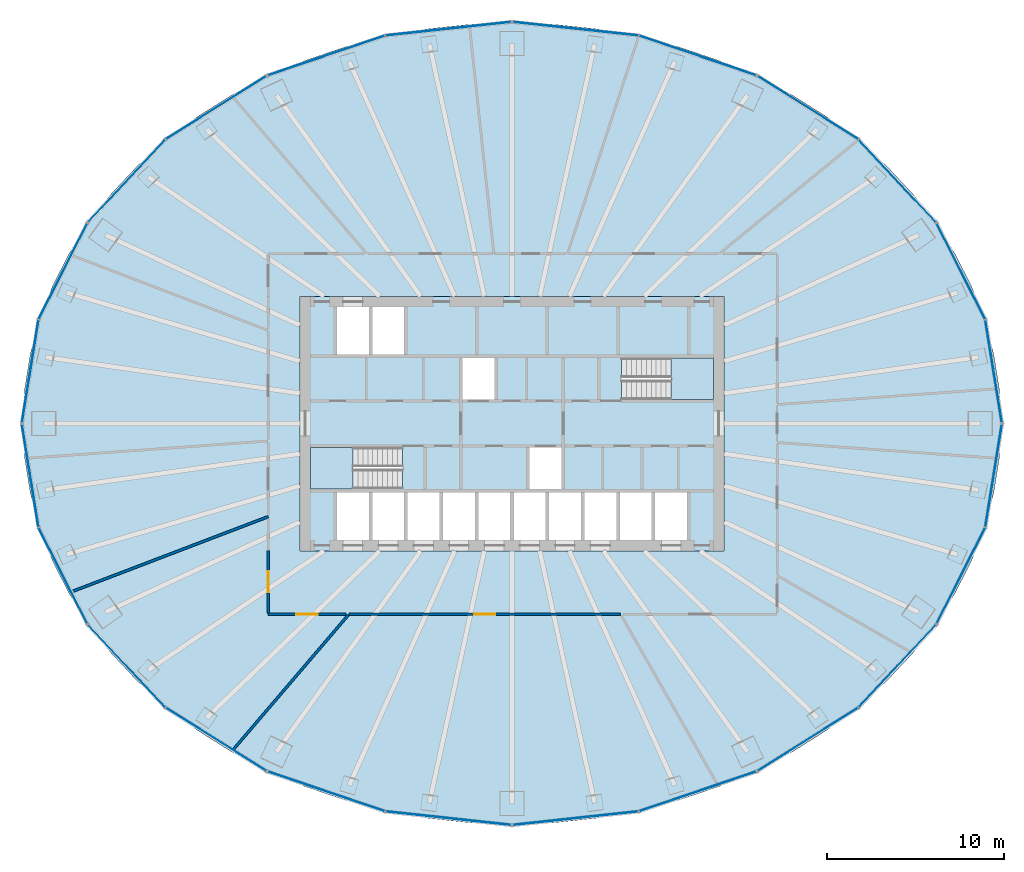
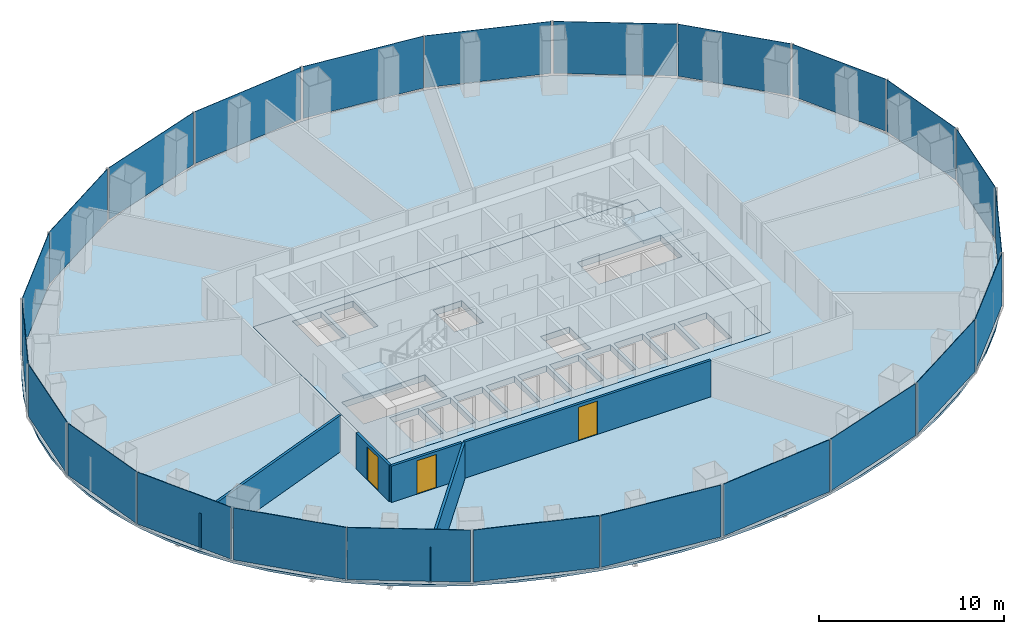
# One storey, part 7 of 11: 24 plates, 5 walls, 4 slabs, 3 doors, 3 openings, 14 elements without a shape of their own.
"""IFC4 building model written with IfcOpenShell, lengths in metres."""

import ifcopenshell
import ifcopenshell.guid

model = None  # the IFC model being written
_history = None  # IfcOwnerHistory: only IFC2X3 demands one
_inside = {}  # id of a spatial element -> (the spatial element, [elements in it])
_under = {}  # id of a project, library or spatial element -> (it, [spatial elements below it])
_declared = {}  # id of a project -> (the project, [libraries it declares])
_typed = {}  # id of a type object -> (the type object, [elements of that type])
_made_of = {}  # id of a material, layer set ... -> (it, [elements and type objects made of it])


def new_model(schema):
    """Start an empty IFC model of exactly this schema.

    Asked for "IFC4X3", IfcOpenShell would pick the latest addendum, in which some entities
    have other attributes; the version numbers below select the first issue.
    IFC2X3 requires an IfcOwnerHistory on every rooted entity: one is made here for all.
    """
    global model, _history
    if schema == "IFC4X3":
        model = ifcopenshell.file(schema_version=(4, 3, 0, 0))
    else:
        model = ifcopenshell.file(schema=schema)
    _inside.clear()
    _under.clear()
    _declared.clear()
    _typed.clear()
    _made_of.clear()
    _history = None
    if model.schema == "IFC2X3":
        org = make("IfcOrganization", Name="unknown")
        user = make(
            "IfcPersonAndOrganization",
            ThePerson=make("IfcPerson", FamilyName="unknown"),
            TheOrganization=org,
        )
        app = make(
            "IfcApplication",
            ApplicationDeveloper=org,
            Version="unknown",
            ApplicationFullName="unknown",
            ApplicationIdentifier="unknown",
        )
        _history = make(
            "IfcOwnerHistory",
            OwningUser=user,
            OwningApplication=app,
            ChangeAction="ADDED",
            CreationDate=0,
        )
    return model


def make(cls, **values):
    """One entity of the class cls with the attributes given. An attribute that is None is left unset."""
    return model.create_entity(
        cls, **{name: value for name, value in values.items() if value is not None}
    )


def rooted(cls, **values):
    """An entity with a GlobalId (a new one), such as an element, a storey or a relation."""
    return make(cls, GlobalId=ifcopenshell.guid.new(), OwnerHistory=_history, **values)


def si_unit(unit_type, name, prefix=None):
    """IfcSIUnit, for example si_unit("LENGTHUNIT", "METRE", prefix="MILLI")."""
    return make("IfcSIUnit", UnitType=unit_type, Prefix=prefix, Name=name)


def assignment(units):
    """IfcUnitAssignment: the units of a project."""
    return None if units is None else make("IfcUnitAssignment", Units=units)


def point(xyz):
    """IfcCartesianPoint."""
    return None if xyz is None else make("IfcCartesianPoint", Coordinates=xyz)


def direction(xyz):
    """IfcDirection."""
    return None if xyz is None else make("IfcDirection", DirectionRatios=xyz)


def frame(location, z_axis=None, x_axis=None):
    """IfcAxis2Placement3D, a coordinate frame: its origin and axes. An axis left out is left unset."""
    return make(
        "IfcAxis2Placement3D",
        Location=point(location),
        Axis=direction(z_axis),
        RefDirection=direction(x_axis),
    )


def frame_2d(location, x_axis=None):
    """IfcAxis2Placement2D, a coordinate frame in the plane: its origin and x axis."""
    return make(
        "IfcAxis2Placement2D", Location=point(location), RefDirection=direction(x_axis)
    )


def origin():
    """The frame at (0, 0, 0) with its axes left unset."""
    return frame((0.0, 0.0, 0.0))


def origin_2d():
    """The frame at (0, 0) in the plane with its x axis left unset."""
    return frame_2d((0.0, 0.0))


def place(relative_to, where):
    """IfcLocalPlacement: puts the frame where relative to a parent placement (None: the world)."""
    return make(
        "IfcLocalPlacement", PlacementRelTo=relative_to, RelativePlacement=where
    )


def context(
    kind, dimensions, precision=None, world=None, true_north=None, identifier=None
):
    """IfcGeometricRepresentationContext, for example the 3D "Model" context."""
    return make(
        "IfcGeometricRepresentationContext",
        ContextIdentifier=identifier,
        ContextType=kind,
        CoordinateSpaceDimension=dimensions,
        Precision=precision,
        WorldCoordinateSystem=world,
        TrueNorth=true_north,
    )


def subcontext(parent, identifier, kind, view, scale=None):
    """IfcGeometricRepresentationSubContext, for example "Body" below "Model"."""
    return make(
        "IfcGeometricRepresentationSubContext",
        ContextIdentifier=identifier,
        ContextType=kind,
        ParentContext=parent,
        TargetScale=scale,
        TargetView=view,
    )


def project(units=None, contexts=None):
    """IfcProject with its units and contexts."""
    return rooted(
        "IfcProject",
        Name="project",
        RepresentationContexts=contexts,
        UnitsInContext=assignment(units),
    )


def spatial(cls, under=None, at=None, **own):
    """A site, building, storey or space (cls), placed at a placement, below another one or the project."""
    s = rooted(cls, ObjectPlacement=at, **own)
    if under is not None:
        _under.setdefault(under.id(), (under, []))[1].append(s)
    return s


def polyline(points):
    """IfcPolyline through the points."""
    return make("IfcPolyline", Points=[point(p) for p in points])


def profile(cls, at=None, kind="AREA", **sizes):
    """A parametric profile (cls). Its sizes go by their IFC names, for example OverallWidth=200.0."""
    return make(cls, ProfileType=kind, Position=at, **sizes)


def rectangle(**sizes):
    """IfcRectangleProfileDef."""
    return profile("IfcRectangleProfileDef", **sizes)


def outline(outer, holes=None, kind="AREA"):
    """IfcArbitraryClosedProfileDef: a profile drawn as a closed curve; with holes, ...WithVoids."""
    if holes is None:
        return make("IfcArbitraryClosedProfileDef", ProfileType=kind, OuterCurve=outer)
    return make(
        "IfcArbitraryProfileDefWithVoids",
        ProfileType=kind,
        OuterCurve=outer,
        InnerCurves=holes,
    )


def extrude(swept, where, along, depth):
    """IfcExtrudedAreaSolid: the profile swept, set in the frame where, extruded along a direction by depth."""
    return make(
        "IfcExtrudedAreaSolid",
        SweptArea=swept,
        Position=where,
        ExtrudedDirection=direction(along),
        Depth=depth,
    )


def shape(context_of_items, identifier, shape_type, items):
    """IfcShapeRepresentation: the items that make up one representation, for example the "Body"."""
    return make(
        "IfcShapeRepresentation",
        ContextOfItems=context_of_items,
        RepresentationIdentifier=identifier,
        RepresentationType=shape_type,
        Items=items,
    )


def material(Name=None, Category=None):
    """IfcMaterial."""
    return make("IfcMaterial", Name=Name, Category=Category)


def layer(
    of_material, thickness, ventilated=None, Name=None, Category=None, Priority=None
):
    """IfcMaterialLayer: one layer of a wall or slab, of a material (None: an air gap)."""
    return make(
        "IfcMaterialLayer",
        Material=of_material,
        LayerThickness=thickness,
        IsVentilated=ventilated,
        Name=Name,
        Category=Category,
        Priority=Priority,
    )


def layer_set(layers, Name=None):
    """IfcMaterialLayerSet."""
    return make("IfcMaterialLayerSet", MaterialLayers=layers, LayerSetName=Name)


def made_of(thing, what):
    """Note that an element or type object is made of a material, layer set ...; save() writes the relation."""
    if what is not None:
        _made_of.setdefault(what.id(), (what, []))[1].append(thing)
    return thing


def type_object(cls, material=None, **own):
    """A type object (cls), such as IfcWallType, which elements share."""
    return made_of(rooted(cls, **own), material)


def element(
    cls,
    number,
    at=None,
    inside=None,
    cuts=None,
    type_object=None,
    material=None,
    context=None,
    identifier="Body",
    shape_type=None,
    held_by="IfcProductDefinitionShape",
    body=None,
    shapes=None,
    **own,
):
    """One element of the class cls, such as IfcWall. Its Tag is "e" and its number.

    at: its placement. inside: the storey or other place that contains it. cuts: it is an
    opening in that element (IfcRelVoidsElement). A single representation is given by context,
    identifier, shape_type and body (its items); several are given by shapes. held_by: the class
    of the entity that holds the representations. save() writes the other relations.
    """
    e = rooted(cls, Tag="e%d" % number, ObjectPlacement=at, **own)
    if body is not None:
        shapes = [shape(context, identifier, shape_type, body)]
    if shapes is not None:
        e.Representation = make(held_by, Representations=shapes)
    if inside is not None:
        _inside.setdefault(inside.id(), (inside, []))[1].append(e)
    if cuts is not None:
        rooted(
            "IfcRelVoidsElement", RelatingBuildingElement=cuts, RelatedOpeningElement=e
        )
    if type_object is not None:
        _typed.setdefault(type_object.id(), (type_object, []))[1].append(e)
    return made_of(e, material)


def fill(opening, filler):
    """IfcRelFillsElement: the door or window that sits in an opening."""
    return rooted(
        "IfcRelFillsElement",
        RelatingOpeningElement=opening,
        RelatedBuildingElement=filler,
    )


def aggregate(whole, parts):
    """IfcRelAggregates: a whole, such as a stair, and the parts it consists of."""
    return rooted("IfcRelAggregates", RelatingObject=whole, RelatedObjects=parts)


def save(model, path):
    """Write the relations noted so far, then the file.

    IfcRelAggregates (storeys below a building ...), IfcRelContainedInSpatialStructure (elements
    in a storey), IfcRelDefinesByType, IfcRelAssociatesMaterial and IfcRelDeclares: one each for
    every whole, place, type object, material and project.
    """
    for whole, parts in _under.values():
        aggregate(whole, parts)
    for where, things in _inside.values():
        rooted(
            "IfcRelContainedInSpatialStructure",
            RelatedElements=things,
            RelatingStructure=where,
        )
    for kind, things in _typed.values():
        rooted("IfcRelDefinesByType", RelatedObjects=things, RelatingType=kind)
    for what, things in _made_of.values():
        rooted("IfcRelAssociatesMaterial", RelatedObjects=things, RelatingMaterial=what)
    for by, libraries in _declared.values():
        rooted("IfcRelDeclares", RelatingContext=by, RelatedDefinitions=libraries)
    model.write(path)


model = new_model("IFC4")

# Units and contexts
model_context = context("Model", 3, precision=1e-05, world=origin(), true_north=direction((0.0, 1.0)))
body_context = subcontext(model_context, "Body", "Model", "MODEL_VIEW")
ifc_project = project(units=[si_unit("LENGTHUNIT", "METRE"), si_unit("AREAUNIT", "SQUARE_METRE"), si_unit("VOLUMEUNIT", "CUBIC_METRE"), si_unit("PLANEANGLEUNIT", "RADIAN"), si_unit("MASSUNIT", "GRAM", prefix="KILO")], contexts=[model_context])

# Site, building, storey
site_placement = place(None, origin())
site = spatial("IfcSite", under=ifc_project, at=site_placement, CompositionType="ELEMENT")
building_placement = place(site_placement, origin())
building = spatial("IfcBuilding", under=site, at=building_placement, Name="Siaravel Broadcast Tower", CompositionType="ELEMENT")
storey_placement = place(building_placement, frame((0.0, 0.0, 55.60009765625)))
storey = spatial("IfcBuildingStorey", under=building, at=storey_placement, Name="L12", CompositionType="ELEMENT", Elevation=55.60009765625)

# Curtain wall, plates
ifc_material_1 = material(Name="Aluminium 6063-T6", Category="aluminium")
ifc_layer_1 = layer(ifc_material_1, 0.219970703125)
ifc_layer_set_1 = layer_set([ifc_layer_1], Name="Aluminium 6063-T6")
curtain_wall_type = type_object("IfcCurtainWallType", Name="Unitised curtain wall, zone 1", PredefinedType="NOTDEFINED", material=ifc_layer_set_1)
curtain_wall_1_placement = place(storey_placement, origin())
curtain_wall_1 = element("IfcCurtainWall", 1, at=curtain_wall_1_placement, inside=storey, type_object=curtain_wall_type, Name="L12 Unitised curtain wall, zone 1 01", PredefinedType="NOTDEFINED")
ifc_material_2 = material(Name="Tinted laminated glass", Category="glass")
ifc_layer_2 = layer(ifc_material_2, 0.031982421875)
ifc_layer_set_2 = layer_set([ifc_layer_2], Name="Tinted laminated glass")
plate_type = type_object("IfcPlateType", Name="CW-Z1 glass panel", PredefinedType="CURTAIN_PANEL", material=ifc_layer_set_2)
plate_1_placement = place(storey_placement, frame((27.25634765625, 2.95947265625, 0.1201171875), z_axis=(0.0, 0.0, 1.0), x_axis=(-0.158685735, 0.987329143, 0.0)))
plate_1 = element("IfcPlate", 2, at=plate_1_placement, type_object=plate_type, Name="CW-Z1 glass panel", PredefinedType="CURTAIN_PANEL", context=body_context, shape_type="SweptSolid", body=[
    extrude(rectangle(XDim=5.854736328125, YDim=0.031982421875, at=origin_2d()), origin(), (0.0, 0.0, 1.0), 3.429931640625),
])
plate_2_placement = place(storey_placement, frame((25.407958984375, 8.609619140625, 0.1201171875), z_axis=(0.0, 0.0, 1.0), x_axis=(-0.451261257, 0.892391886, 0.0)))
plate_2 = element("IfcPlate", 3, at=plate_2_placement, type_object=plate_type, Name="CW-Z1 glass panel", PredefinedType="CURTAIN_PANEL", context=body_context, shape_type="SweptSolid", body=[
    extrude(rectangle(XDim=6.0380859375, YDim=0.031982421875, at=origin_2d()), origin(), (0.0, 0.0, 1.0), 3.429931640625),
])
aggregate(curtain_wall_1, [plate_1, plate_2])

curtain_wall_2_placement = place(storey_placement, origin())
curtain_wall_2 = element("IfcCurtainWall", 4, at=curtain_wall_2_placement, inside=storey, type_object=curtain_wall_type, Name="L12 Unitised curtain wall, zone 1 02", PredefinedType="NOTDEFINED")
plate_3_placement = place(storey_placement, frame((21.798095703125, 13.731689453125, 0.1201171875), z_axis=(0.0, 0.0, 1.0), x_axis=(-0.683655302, 0.729805061, 0.0)))
plate_3 = element("IfcPlate", 5, at=plate_3_placement, type_object=plate_type, Name="CW-Z1 glass panel", PredefinedType="CURTAIN_PANEL", context=body_context, shape_type="SweptSolid", body=[
    extrude(rectangle(XDim=6.34326171875, YDim=0.031982421875, at=origin_2d()), origin(), (0.0, 0.0, 1.0), 3.429931640625),
])
plate_4_placement = place(storey_placement, frame((16.748779296875, 17.86767578125, 0.1201171875), z_axis=(0.0, 0.0, 1.0), x_axis=(-0.846650586, 0.532149214, 0.0)))
plate_4 = element("IfcPlate", 6, at=plate_4_placement, type_object=plate_type, Name="CW-Z1 glass panel", PredefinedType="CURTAIN_PANEL", context=body_context, shape_type="SweptSolid", body=[
    extrude(rectangle(XDim=6.6787109375, YDim=0.031982421875, at=origin_2d()), origin(), (0.0, 0.0, 1.0), 3.429931640625),
])
aggregate(curtain_wall_2, [plate_3, plate_4])

curtain_wall_3_placement = place(storey_placement, origin())
curtain_wall_3 = element("IfcCurtainWall", 7, at=curtain_wall_3_placement, inside=storey, type_object=curtain_wall_type, Name="L12 Unitised curtain wall, zone 1 03", PredefinedType="NOTDEFINED")
plate_5_placement = place(storey_placement, frame((10.502197265625, 20.822021484375, 0.1201171875), z_axis=(0.0, 0.0, 1.0), x_axis=(-0.94697722, 0.321300709, 0.0)))
plate_5 = element("IfcPlate", 8, at=plate_5_placement, type_object=plate_type, Name="CW-Z1 glass panel", PredefinedType="CURTAIN_PANEL", context=body_context, shape_type="SweptSolid", body=[
    extrude(rectangle(XDim=6.956298828125, YDim=0.031982421875, at=origin_2d()), origin(), (0.0, 0.0, 1.0), 3.429931640625),
])
plate_6_placement = place(storey_placement, frame((3.60498046875, 22.335693359375, 0.1201171875), z_axis=(0.0, 0.0, 1.0), x_axis=(-0.994235586, 0.107217536, 0.0)))
plate_6 = element("IfcPlate", 9, at=plate_6_placement, type_object=plate_type, Name="CW-Z1 glass panel", PredefinedType="CURTAIN_PANEL", context=body_context, shape_type="SweptSolid", body=[
    extrude(rectangle(XDim=7.11181640625, YDim=0.031982421875, at=origin_2d()), origin(), (0.0, 0.0, 1.0), 3.429931640625),
])
aggregate(curtain_wall_3, [plate_5, plate_6])

curtain_wall_4_placement = place(storey_placement, origin())
curtain_wall_4 = element("IfcCurtainWall", 10, at=curtain_wall_4_placement, inside=storey, type_object=curtain_wall_type, Name="L12 Unitised curtain wall, zone 1 04", PredefinedType="NOTDEFINED")
plate_7_placement = place(storey_placement, frame((-3.60498046875, 22.335693359375, 0.1201171875), z_axis=(0.0, 0.0, 1.0), x_axis=(-0.994235586, -0.107217536, 0.0)))
plate_7 = element("IfcPlate", 11, at=plate_7_placement, type_object=plate_type, Name="CW-Z1 glass panel", PredefinedType="CURTAIN_PANEL", context=body_context, shape_type="SweptSolid", body=[
    extrude(rectangle(XDim=7.11181640625, YDim=0.031982421875, at=origin_2d()), origin(), (0.0, 0.0, 1.0), 3.429931640625),
])
plate_8_placement = place(storey_placement, frame((-10.502197265625, 20.822021484375, 0.1201171875), z_axis=(0.0, 0.0, 1.0), x_axis=(-0.94697722, -0.321300709, 0.0)))
plate_8 = element("IfcPlate", 12, at=plate_8_placement, type_object=plate_type, Name="CW-Z1 glass panel", PredefinedType="CURTAIN_PANEL", context=body_context, shape_type="SweptSolid", body=[
    extrude(rectangle(XDim=6.956298828125, YDim=0.031982421875, at=origin_2d()), origin(), (0.0, 0.0, 1.0), 3.429931640625),
])
aggregate(curtain_wall_4, [plate_7, plate_8])

curtain_wall_5_placement = place(storey_placement, origin())
curtain_wall_5 = element("IfcCurtainWall", 13, at=curtain_wall_5_placement, inside=storey, type_object=curtain_wall_type, Name="L12 Unitised curtain wall, zone 1 05", PredefinedType="NOTDEFINED")
plate_9_placement = place(storey_placement, frame((-16.748779296875, 17.86767578125, 0.1201171875), z_axis=(0.0, 0.0, 1.0), x_axis=(-0.846650586, -0.532149214, 0.0)))
plate_9 = element("IfcPlate", 14, at=plate_9_placement, type_object=plate_type, Name="CW-Z1 glass panel", PredefinedType="CURTAIN_PANEL", context=body_context, shape_type="SweptSolid", body=[
    extrude(rectangle(XDim=6.6787109375, YDim=0.031982421875, at=origin_2d()), origin(), (0.0, 0.0, 1.0), 3.429931640625),
])
plate_10_placement = place(storey_placement, frame((-21.798095703125, 13.731689453125, 0.1201171875), z_axis=(0.0, 0.0, 1.0), x_axis=(-0.683655302, -0.729805061, 0.0)))
plate_10 = element("IfcPlate", 15, at=plate_10_placement, type_object=plate_type, Name="CW-Z1 glass panel", PredefinedType="CURTAIN_PANEL", context=body_context, shape_type="SweptSolid", body=[
    extrude(rectangle(XDim=6.34326171875, YDim=0.031982421875, at=origin_2d()), origin(), (0.0, 0.0, 1.0), 3.429931640625),
])
aggregate(curtain_wall_5, [plate_9, plate_10])

curtain_wall_6_placement = place(storey_placement, origin())
curtain_wall_6 = element("IfcCurtainWall", 16, at=curtain_wall_6_placement, inside=storey, type_object=curtain_wall_type, Name="L12 Unitised curtain wall, zone 1 06", PredefinedType="NOTDEFINED")
plate_11_placement = place(storey_placement, frame((-25.407958984375, 8.609619140625, 0.1201171875), z_axis=(0.0, 0.0, 1.0), x_axis=(-0.451261257, -0.892391886, 0.0)))
plate_11 = element("IfcPlate", 17, at=plate_11_placement, type_object=plate_type, Name="CW-Z1 glass panel", PredefinedType="CURTAIN_PANEL", context=body_context, shape_type="SweptSolid", body=[
    extrude(rectangle(XDim=6.0380859375, YDim=0.031982421875, at=origin_2d()), origin(), (0.0, 0.0, 1.0), 3.429931640625),
])
plate_12_placement = place(storey_placement, frame((-27.25634765625, 2.95947265625, 0.1201171875), z_axis=(0.0, 0.0, 1.0), x_axis=(-0.158685735, -0.987329143, 0.0)))
plate_12 = element("IfcPlate", 18, at=plate_12_placement, type_object=plate_type, Name="CW-Z1 glass panel", PredefinedType="CURTAIN_PANEL", context=body_context, shape_type="SweptSolid", body=[
    extrude(rectangle(XDim=5.854736328125, YDim=0.031982421875, at=origin_2d()), origin(), (0.0, 0.0, 1.0), 3.429931640625),
])
aggregate(curtain_wall_6, [plate_11, plate_12])

curtain_wall_7_placement = place(storey_placement, origin())
curtain_wall_7 = element("IfcCurtainWall", 19, at=curtain_wall_7_placement, inside=storey, type_object=curtain_wall_type, Name="L12 Unitised curtain wall, zone 1 07", PredefinedType="NOTDEFINED")
plate_13_placement = place(storey_placement, frame((-27.25634765625, -2.95947265625, 0.1201171875), z_axis=(0.0, 0.0, 1.0), x_axis=(0.158685735, -0.987329143, 0.0)))
plate_13 = element("IfcPlate", 20, at=plate_13_placement, type_object=plate_type, Name="CW-Z1 glass panel", PredefinedType="CURTAIN_PANEL", context=body_context, shape_type="SweptSolid", body=[
    extrude(rectangle(XDim=5.854736328125, YDim=0.031982421875, at=origin_2d()), origin(), (0.0, 0.0, 1.0), 3.429931640625),
])
plate_14_placement = place(storey_placement, frame((-25.407958984375, -8.609619140625, 0.1201171875), z_axis=(0.0, 0.0, 1.0), x_axis=(0.451261257, -0.892391886, 0.0)))
plate_14 = element("IfcPlate", 21, at=plate_14_placement, type_object=plate_type, Name="CW-Z1 glass panel", PredefinedType="CURTAIN_PANEL", context=body_context, shape_type="SweptSolid", body=[
    extrude(rectangle(XDim=6.0380859375, YDim=0.031982421875, at=origin_2d()), origin(), (0.0, 0.0, 1.0), 3.429931640625),
])
aggregate(curtain_wall_7, [plate_13, plate_14])

curtain_wall_8_placement = place(storey_placement, origin())
curtain_wall_8 = element("IfcCurtainWall", 22, at=curtain_wall_8_placement, inside=storey, type_object=curtain_wall_type, Name="L12 Unitised curtain wall, zone 1 08", PredefinedType="NOTDEFINED")
plate_15_placement = place(storey_placement, frame((-21.798095703125, -13.731689453125, 0.1201171875), z_axis=(0.0, 0.0, 1.0), x_axis=(0.683655302, -0.729805061, 0.0)))
plate_15 = element("IfcPlate", 23, at=plate_15_placement, type_object=plate_type, Name="CW-Z1 glass panel", PredefinedType="CURTAIN_PANEL", context=body_context, shape_type="SweptSolid", body=[
    extrude(rectangle(XDim=6.34326171875, YDim=0.031982421875, at=origin_2d()), origin(), (0.0, 0.0, 1.0), 3.429931640625),
])
plate_16_placement = place(storey_placement, frame((-16.748779296875, -17.86767578125, 0.1201171875), z_axis=(0.0, 0.0, 1.0), x_axis=(0.846650586, -0.532149214, 0.0)))
plate_16 = element("IfcPlate", 24, at=plate_16_placement, type_object=plate_type, Name="CW-Z1 glass panel", PredefinedType="CURTAIN_PANEL", context=body_context, shape_type="SweptSolid", body=[
    extrude(rectangle(XDim=6.6787109375, YDim=0.031982421875, at=origin_2d()), origin(), (0.0, 0.0, 1.0), 3.429931640625),
])
aggregate(curtain_wall_8, [plate_15, plate_16])

curtain_wall_9_placement = place(storey_placement, origin())
curtain_wall_9 = element("IfcCurtainWall", 25, at=curtain_wall_9_placement, inside=storey, type_object=curtain_wall_type, Name="L12 Unitised curtain wall, zone 1 09", PredefinedType="NOTDEFINED")
plate_17_placement = place(storey_placement, frame((-10.502197265625, -20.822021484375, 0.1201171875), z_axis=(0.0, 0.0, 1.0), x_axis=(0.94697722, -0.321300709, 0.0)))
plate_17 = element("IfcPlate", 26, at=plate_17_placement, type_object=plate_type, Name="CW-Z1 glass panel", PredefinedType="CURTAIN_PANEL", context=body_context, shape_type="SweptSolid", body=[
    extrude(rectangle(XDim=6.956298828125, YDim=0.031982421875, at=origin_2d()), origin(), (0.0, 0.0, 1.0), 3.429931640625),
])
plate_18_placement = place(storey_placement, frame((-3.60498046875, -22.335693359375, 0.1201171875), z_axis=(0.0, 0.0, 1.0), x_axis=(0.994235586, -0.107217536, 0.0)))
plate_18 = element("IfcPlate", 27, at=plate_18_placement, type_object=plate_type, Name="CW-Z1 glass panel", PredefinedType="CURTAIN_PANEL", context=body_context, shape_type="SweptSolid", body=[
    extrude(rectangle(XDim=7.11181640625, YDim=0.031982421875, at=origin_2d()), origin(), (0.0, 0.0, 1.0), 3.429931640625),
])
aggregate(curtain_wall_9, [plate_17, plate_18])

curtain_wall_10_placement = place(storey_placement, origin())
curtain_wall_10 = element("IfcCurtainWall", 28, at=curtain_wall_10_placement, inside=storey, type_object=curtain_wall_type, Name="L12 Unitised curtain wall, zone 1 10", PredefinedType="NOTDEFINED")
plate_19_placement = place(storey_placement, frame((3.60498046875, -22.335693359375, 0.1201171875), z_axis=(0.0, 0.0, 1.0), x_axis=(0.994235586, 0.107217536, 0.0)))
plate_19 = element("IfcPlate", 29, at=plate_19_placement, type_object=plate_type, Name="CW-Z1 glass panel", PredefinedType="CURTAIN_PANEL", context=body_context, shape_type="SweptSolid", body=[
    extrude(rectangle(XDim=7.11181640625, YDim=0.031982421875, at=origin_2d()), origin(), (0.0, 0.0, 1.0), 3.429931640625),
])
plate_20_placement = place(storey_placement, frame((10.502197265625, -20.822021484375, 0.1201171875), z_axis=(0.0, 0.0, 1.0), x_axis=(0.94697722, 0.321300709, 0.0)))
plate_20 = element("IfcPlate", 30, at=plate_20_placement, type_object=plate_type, Name="CW-Z1 glass panel", PredefinedType="CURTAIN_PANEL", context=body_context, shape_type="SweptSolid", body=[
    extrude(rectangle(XDim=6.956298828125, YDim=0.031982421875, at=origin_2d()), origin(), (0.0, 0.0, 1.0), 3.429931640625),
])
aggregate(curtain_wall_10, [plate_19, plate_20])

curtain_wall_11_placement = place(storey_placement, origin())
curtain_wall_11 = element("IfcCurtainWall", 31, at=curtain_wall_11_placement, inside=storey, type_object=curtain_wall_type, Name="L12 Unitised curtain wall, zone 1 11", PredefinedType="NOTDEFINED")
plate_21_placement = place(storey_placement, frame((16.748779296875, -17.86767578125, 0.1201171875), z_axis=(0.0, 0.0, 1.0), x_axis=(0.846650586, 0.532149214, 0.0)))
plate_21 = element("IfcPlate", 32, at=plate_21_placement, type_object=plate_type, Name="CW-Z1 glass panel", PredefinedType="CURTAIN_PANEL", context=body_context, shape_type="SweptSolid", body=[
    extrude(rectangle(XDim=6.6787109375, YDim=0.031982421875, at=origin_2d()), origin(), (0.0, 0.0, 1.0), 3.429931640625),
])
plate_22_placement = place(storey_placement, frame((21.798095703125, -13.731689453125, 0.1201171875), z_axis=(0.0, 0.0, 1.0), x_axis=(0.683655302, 0.729805061, 0.0)))
plate_22 = element("IfcPlate", 33, at=plate_22_placement, type_object=plate_type, Name="CW-Z1 glass panel", PredefinedType="CURTAIN_PANEL", context=body_context, shape_type="SweptSolid", body=[
    extrude(rectangle(XDim=6.34326171875, YDim=0.031982421875, at=origin_2d()), origin(), (0.0, 0.0, 1.0), 3.429931640625),
])
aggregate(curtain_wall_11, [plate_21, plate_22])

curtain_wall_12_placement = place(storey_placement, origin())
curtain_wall_12 = element("IfcCurtainWall", 34, at=curtain_wall_12_placement, inside=storey, type_object=curtain_wall_type, Name="L12 Unitised curtain wall, zone 1 12", PredefinedType="NOTDEFINED")
plate_23_placement = place(storey_placement, frame((25.407958984375, -8.609619140625, 0.1201171875), z_axis=(0.0, 0.0, 1.0), x_axis=(0.451261257, 0.892391886, 0.0)))
plate_23 = element("IfcPlate", 35, at=plate_23_placement, type_object=plate_type, Name="CW-Z1 glass panel", PredefinedType="CURTAIN_PANEL", context=body_context, shape_type="SweptSolid", body=[
    extrude(rectangle(XDim=6.0380859375, YDim=0.031982421875, at=origin_2d()), origin(), (0.0, 0.0, 1.0), 3.429931640625),
])
plate_24_placement = place(storey_placement, frame((27.25634765625, -2.95947265625, 0.1201171875), z_axis=(0.0, 0.0, 1.0), x_axis=(0.158685735, 0.987329143, 0.0)))
plate_24 = element("IfcPlate", 36, at=plate_24_placement, type_object=plate_type, Name="CW-Z1 glass panel", PredefinedType="CURTAIN_PANEL", context=body_context, shape_type="SweptSolid", body=[
    extrude(rectangle(XDim=5.854736328125, YDim=0.031982421875, at=origin_2d()), origin(), (0.0, 0.0, 1.0), 3.429931640625),
])
aggregate(curtain_wall_12, [plate_23, plate_24])

# Slabs
ifc_material_3 = material(Name="Concrete C40/50", Category="concrete")
ifc_layer_3 = layer(ifc_material_3, 0.39990234375)
ifc_layer_set_3 = layer_set([ifc_layer_3], Name="Concrete C40/50")
slab_type_1 = type_object("IfcSlabType", Name="Core floor slab 400", PredefinedType="FLOOR", material=ifc_layer_set_3)
slab_1_placement = place(storey_placement, frame((0.0, 0.0, -0.400146484375)))
element("IfcSlab", 37, at=slab_1_placement, inside=storey, type_object=slab_type_1, Name="L12 core floor", PredefinedType="FLOOR", context=body_context, shape_type="SweptSolid", body=[
    extrude(outline(polyline([(-12.0, -7.199951171875), (-12.0, 7.199951171875), (12.0, 7.199951171875), (12.0, -7.199951171875), (-12.0, -7.199951171875)]), holes=[polyline([(11.3994140625, 1.3505859375), (11.3994140625, 3.699462890625), (6.200439453125, 3.699462890625), (6.200439453125, 1.3505859375), (11.3994140625, 1.3505859375)]), polyline([(9.89990234375, -3.89990234375), (8.10009765625, -3.89990234375), (8.10009765625, -6.60009765625), (9.89990234375, -6.60009765625), (9.89990234375, -3.89990234375)]), polyline([(7.89990234375, -3.89990234375), (6.10009765625, -3.89990234375), (6.10009765625, -6.60009765625), (7.89990234375, -6.60009765625), (7.89990234375, -3.89990234375)]), polyline([(5.89990234375, -3.89990234375), (4.10009765625, -3.89990234375), (4.10009765625, -6.60009765625), (5.89990234375, -6.60009765625), (5.89990234375, -3.89990234375)]), polyline([(3.89990234375, -3.89990234375), (2.10009765625, -3.89990234375), (2.10009765625, -6.60009765625), (3.89990234375, -6.60009765625), (3.89990234375, -3.89990234375)]), polyline([(2.800048828125, -1.35009765625), (1.0, -1.35009765625), (1.0, -3.699951171875), (2.800048828125, -3.699951171875), (2.800048828125, -1.35009765625)]), polyline([(1.89990234375, -3.89990234375), (0.10009765625, -3.89990234375), (0.10009765625, -6.60009765625), (1.89990234375, -6.60009765625), (1.89990234375, -3.89990234375)]), polyline([(-0.10009765625, -3.89990234375), (-1.89990234375, -3.89990234375), (-1.89990234375, -6.60009765625), (-0.10009765625, -6.60009765625), (-0.10009765625, -3.89990234375)]), polyline([(-1.0, 3.699951171875), (-2.800048828125, 3.699951171875), (-2.800048828125, 1.35009765625), (-1.0, 1.35009765625), (-1.0, 3.699951171875)]), polyline([(-2.10009765625, -3.89990234375), (-3.89990234375, -3.89990234375), (-3.89990234375, -6.60009765625), (-2.10009765625, -6.60009765625), (-2.10009765625, -3.89990234375)]), polyline([(-4.10009765625, -3.89990234375), (-5.89990234375, -3.89990234375), (-5.89990234375, -6.60009765625), (-4.10009765625, -6.60009765625), (-4.10009765625, -3.89990234375)]), polyline([(-6.10009765625, -3.89990234375), (-7.89990234375, -3.89990234375), (-7.89990234375, -6.60009765625), (-6.10009765625, -6.60009765625), (-6.10009765625, -3.89990234375)]), polyline([(-6.10009765625, 6.60009765625), (-7.89990234375, 6.60009765625), (-7.89990234375, 3.89990234375), (-6.10009765625, 3.89990234375), (-6.10009765625, 6.60009765625)]), polyline([(-11.3994140625, -1.3505859375), (-11.3994140625, -3.699462890625), (-6.200439453125, -3.699462890625), (-6.200439453125, -1.3505859375), (-11.3994140625, -1.3505859375)]), polyline([(-8.10009765625, -3.89990234375), (-9.89990234375, -3.89990234375), (-9.89990234375, -6.60009765625), (-8.10009765625, -6.60009765625), (-8.10009765625, -3.89990234375)]), polyline([(-8.10009765625, 6.60009765625), (-9.89990234375, 6.60009765625), (-9.89990234375, 3.89990234375), (-8.10009765625, 3.89990234375), (-8.10009765625, 6.60009765625)])]), origin(), (0.0, 0.0, 1.0), 0.400146484375),
])
ifc_layer_4 = layer(ifc_material_3, 0.14990234375)
ifc_layer_set_4 = layer_set([ifc_layer_4], Name="Concrete C40/50")
slab_type_2 = type_object("IfcSlabType", Name="SLB-FLOOR-150", PredefinedType="FLOOR", material=ifc_layer_set_4)
slab_2_placement = place(storey_placement, frame((0.0, 0.0, -0.150146484375)))
element("IfcSlab", 38, at=slab_2_placement, inside=storey, type_object=slab_type_2, Name="Floor slab", PredefinedType="FLOOR", context=body_context, shape_type="SweptSolid", body=[
    extrude(outline(polyline([(27.681884765625, 0.0), (27.57666015625, 1.976318359375), (27.26123046875, 3.9375), (26.73876953125, 5.86865234375), (26.012451171875, 7.755126953125), (25.08837890625, 9.582763671875), (23.97314453125, 11.33740234375), (22.67578125, 13.005615234375), (21.20556640625, 14.574951171875), (19.57421875, 16.033447265625), (17.793701171875, 17.369873046875), (15.877685546875, 18.573974609375), (13.841064453125, 19.63671875), (11.698974609375, 20.55029296875), (9.4677734375, 21.30712890625), (7.16455078125, 21.902099609375), (4.806884765625, 22.330078125), (2.41259765625, 22.58837890625), (0.0, 22.674560546875), (-2.41259765625, 22.58837890625), (-4.806884765625, 22.330078125), (-7.16455078125, 21.902099609375), (-9.4677734375, 21.30712890625), (-11.698974609375, 20.55029296875), (-13.8408203125, 19.63671875), (-15.877685546875, 18.573974609375), (-17.793701171875, 17.369873046875), (-19.57421875, 16.033447265625), (-21.20556640625, 14.574951171875), (-22.67578125, 13.005615234375), (-23.97314453125, 11.33740234375), (-25.08837890625, 9.582763671875), (-26.012451171875, 7.755126953125), (-26.73876953125, 5.86865234375), (-27.26123046875, 3.9375), (-27.57666015625, 1.976318359375), (-27.681884765625, 0.0), (-27.57666015625, -1.976318359375), (-27.26123046875, -3.9375), (-26.73876953125, -5.86865234375), (-26.012451171875, -7.755126953125), (-25.08837890625, -9.582763671875), (-23.97314453125, -11.33740234375), (-22.67578125, -13.005615234375), (-21.20556640625, -14.574951171875), (-19.57421875, -16.033447265625), (-17.793701171875, -17.369873046875), (-15.877685546875, -18.573974609375), (-13.841064453125, -19.63671875), (-11.698974609375, -20.55029296875), (-9.4677734375, -21.30712890625), (-7.16455078125, -21.902099609375), (-4.806884765625, -22.330078125), (-2.41259765625, -22.58837890625), (0.0, -22.674560546875), (2.41259765625, -22.58837890625), (4.806884765625, -22.330078125), (7.16455078125, -21.902099609375), (9.4677734375, -21.30712890625), (11.698974609375, -20.55029296875), (13.841064453125, -19.63671875), (15.877685546875, -18.573974609375), (17.793701171875, -17.369873046875), (19.57421875, -16.033447265625), (21.20556640625, -14.574951171875), (22.67578125, -13.005615234375), (23.97314453125, -11.33740234375), (25.08837890625, -9.582763671875), (26.012451171875, -7.755126953125), (26.73876953125, -5.86865234375), (27.26123046875, -3.9375), (27.57666015625, -1.976318359375), (27.681884765625, 0.0)]), holes=[polyline([(-12.0, 7.199951171875), (12.0, 7.199951171875), (12.0, -7.199951171875), (-12.0, -7.199951171875), (-12.0, 7.199951171875)])]), origin(), (0.0, 0.0, 1.0), 0.150146484375),
])

# Stair, slab
stair_type = type_object("IfcStairType", Name="Core exit stair", PredefinedType="HALF_TURN_STAIR", material=ifc_material_3)
stair_1_placement = place(storey_placement, origin())
stair_1 = element("IfcStair", 39, at=stair_1_placement, inside=storey, type_object=stair_type, Name="L12 Exit stair ST-1", PredefinedType="HALF_TURN_STAIR")
ifc_layer_5 = layer(ifc_material_3, 0.199951171875)
ifc_layer_set_5 = layer_set([ifc_layer_5], Name="Concrete C40/50")
slab_type_3 = type_object("IfcSlabType", Name="Stair landing", PredefinedType="LANDING", material=ifc_layer_set_5)
slab_3_placement = place(storey_placement, frame((0.0, 0.0, 1.64990234375)))
slab_3 = element("IfcSlab", 40, at=slab_3_placement, type_object=slab_type_3, Name="ST-1 landing 1", PredefinedType="LANDING", context=body_context, shape_type="SweptSolid", body=[
    extrude(outline(polyline([(-9.0, -1.35009765625), (-11.39990234375, -1.35009765625), (-11.39990234375, -3.699951171875), (-9.0, -3.699951171875), (-9.0, -1.35009765625)])), origin(), (0.0, 0.0, 1.0), 0.199951171875),
])
aggregate(stair_1, [slab_3])

stair_2_placement = place(storey_placement, origin())
stair_2 = element("IfcStair", 41, at=stair_2_placement, inside=storey, type_object=stair_type, Name="L12 Exit stair ST-2", PredefinedType="HALF_TURN_STAIR")
slab_4_placement = place(storey_placement, frame((0.0, 0.0, 1.64990234375)))
slab_4 = element("IfcSlab", 42, at=slab_4_placement, type_object=slab_type_3, Name="ST-2 landing 1", PredefinedType="LANDING", context=body_context, shape_type="SweptSolid", body=[
    extrude(outline(polyline([(9.0, 1.35009765625), (11.39990234375, 1.35009765625), (11.39990234375, 3.699951171875), (9.0, 3.699951171875), (9.0, 1.35009765625)])), origin(), (0.0, 0.0, 1.0), 0.199951171875),
])
aggregate(stair_2, [slab_4])

# Wall, opening, door
ifc_material_4 = material(Name="Gypsum board partition", Category="gypsum")
ifc_layer_6 = layer(ifc_material_4, 0.14990234375)
ifc_layer_set_6 = layer_set([ifc_layer_6], Name="Gypsum board partition")
wall_type_1 = type_object("IfcWallType", Name="Corridor wall 150", PredefinedType="PARTITIONING", material=ifc_layer_set_6)
wall_1_placement = place(storey_placement, frame((-9.232421875, -10.800048828125, 0.0), z_axis=(0.0, 0.0, 1.0), x_axis=(1.0, 0.0, 0.0)))
wall_1 = element("IfcWall", 43, at=wall_1_placement, inside=storey, type_object=wall_type_1, Name="L12 partition 1", PredefinedType="PARTITIONING", context=body_context, shape_type="SweptSolid", body=[
    extrude(rectangle(XDim=15.380615234375, YDim=0.14990234375, at=frame_2d((7.6904296875, 0.0))), origin(), (0.0, 0.0, 1.0), 2.39990234375),
])
opening_1_placement = place(wall_1_placement, frame((7.09033203125, 0.0, 0.0)))
opening_1 = element("IfcOpeningElement", 44, at=opening_1_placement, cuts=wall_1, Name="Opening L12-012", PredefinedType="OPENING", context=body_context, shape_type="SweptSolid", body=[
    extrude(rectangle(XDim=1.199951171875, YDim=2.199951171875, at=frame_2d((0.60009765625, 1.10009765625))), frame((0.0, 0.0849609375, 0.0), z_axis=(0.0, -1.0, 0.0), x_axis=(1.0, 0.0, 0.0)), (0.0, 0.0, 1.0), 0.169921875),
])
ifc_material_5 = material(Name="Timber veneer", Category="wood")
door_type = type_object("IfcDoorType", Name="Office double door 1200", OperationType="DOUBLE_DOOR_SINGLE_SWING", PredefinedType="DOOR", material=ifc_material_5)
door_1_placement = place(opening_1_placement, origin())
door_1 = element("IfcDoor", 45, at=door_1_placement, inside=storey, type_object=door_type, Name="L12 door to Open plan newsroom", OperationType="DOUBLE_DOOR_SINGLE_SWING", OverallHeight=2.199951171875, OverallWidth=1.199951171875, PredefinedType="DOOR", context=body_context, shape_type="SweptSolid", body=[
    extrude(rectangle(XDim=1.199951171875, YDim=2.199951171875, at=frame_2d((0.60009765625, 1.10009765625))), frame((0.0, 0.02490234375, 0.0), z_axis=(0.0, -1.0, 0.0), x_axis=(1.0, 0.0, 0.0)), (0.0, 0.0, 1.0), 0.050048828125),
])
fill(opening_1, door_1)

wall_2_placement = place(storey_placement, frame((-13.800048828125, -10.800048828125, 0.0), z_axis=(0.0, 0.0, 1.0), x_axis=(1.0, 0.0, 0.0)))
wall_2 = element("IfcWall", 46, at=wall_2_placement, inside=storey, type_object=wall_type_1, Name="L12 partition 21", PredefinedType="PARTITIONING", context=body_context, shape_type="SweptSolid", body=[
    extrude(rectangle(XDim=4.403076171875, YDim=0.14990234375, at=frame_2d((2.20166015625, 0.0))), origin(), (0.0, 0.0, 1.0), 2.39990234375),
])
opening_2_placement = place(wall_2_placement, frame((1.6015625, 0.0, 0.0)))
opening_2 = element("IfcOpeningElement", 47, at=opening_2_placement, cuts=wall_2, Name="Opening L12-010", PredefinedType="OPENING", context=body_context, shape_type="SweptSolid", body=[
    extrude(rectangle(XDim=1.199951171875, YDim=2.199951171875, at=frame_2d((0.60009765625, 1.10009765625))), frame((0.0, 0.0849609375, 0.0), z_axis=(0.0, -1.0, 0.0), x_axis=(1.0, 0.0, 0.0)), (0.0, 0.0, 1.0), 0.169921875),
])
door_2_placement = place(opening_2_placement, origin())
door_2 = element("IfcDoor", 48, at=door_2_placement, inside=storey, type_object=door_type, Name="L12 door to Open plan newsroom", OperationType="DOUBLE_DOOR_SINGLE_SWING", OverallHeight=2.199951171875, OverallWidth=1.199951171875, PredefinedType="DOOR", context=body_context, shape_type="SweptSolid", body=[
    extrude(rectangle(XDim=1.199951171875, YDim=2.199951171875, at=frame_2d((0.60009765625, 1.10009765625))), frame((0.0, 0.02490234375, 0.0), z_axis=(0.0, -1.0, 0.0), x_axis=(1.0, 0.0, 0.0)), (0.0, 0.0, 1.0), 0.050048828125),
])
fill(opening_2, door_2)

wall_3_placement = place(storey_placement, frame((-13.800048828125, -7.18798828125, 0.0), z_axis=(0.0, 0.0, 1.0), x_axis=(0.0, -1.0, 0.0)))
wall_3 = element("IfcWall", 49, at=wall_3_placement, inside=storey, type_object=wall_type_1, Name="L12 partition 24", PredefinedType="PARTITIONING", context=body_context, shape_type="SweptSolid", body=[
    extrude(rectangle(XDim=3.534912109375, YDim=0.14990234375, at=frame_2d((1.767578125, 0.0))), origin(), (0.0, 0.0, 1.0), 2.39990234375),
])
opening_3_placement = place(wall_3_placement, frame((1.16748046875, 0.0, 0.0)))
opening_3 = element("IfcOpeningElement", 50, at=opening_3_placement, cuts=wall_3, Name="Opening L12-011", PredefinedType="OPENING", context=body_context, shape_type="SweptSolid", body=[
    extrude(rectangle(XDim=1.199951171875, YDim=2.199951171875, at=frame_2d((0.60009765625, 1.10009765625))), frame((0.0, 0.0849609375, 0.0), z_axis=(0.0, -1.0, 0.0), x_axis=(1.0, 0.0, 0.0)), (0.0, 0.0, 1.0), 0.169921875),
])
door_3_placement = place(opening_3_placement, origin())
door_3 = element("IfcDoor", 51, at=door_3_placement, inside=storey, type_object=door_type, Name="L12 door to Open plan newsroom", OperationType="DOUBLE_DOOR_SINGLE_SWING", OverallHeight=2.199951171875, OverallWidth=1.199951171875, PredefinedType="DOOR", context=body_context, shape_type="SweptSolid", body=[
    extrude(rectangle(XDim=1.199951171875, YDim=2.199951171875, at=frame_2d((0.60009765625, 1.10009765625))), frame((0.0, 0.02490234375, 0.0), z_axis=(0.0, -1.0, 0.0), x_axis=(1.0, 0.0, 0.0)), (0.0, 0.0, 1.0), 0.050048828125),
])
fill(opening_3, door_3)

# Walls
ifc_layer_7 = layer(ifc_material_4, 0.14990234375)
ifc_layer_set_7 = layer_set([ifc_layer_7], Name="Gypsum board partition")
wall_type_2 = type_object("IfcWallType", Name="Room partition 150", PredefinedType="PARTITIONING", material=ifc_layer_set_7)
wall_4_placement = place(storey_placement, frame((-24.97412109375, -9.5390625, 0.0), z_axis=(0.0, 0.0, 1.0), x_axis=(0.934173736, 0.356818485, 0.0)))
element("IfcWall", 52, at=wall_4_placement, inside=storey, type_object=wall_type_2, Name="L12 partition 8", PredefinedType="PARTITIONING", context=body_context, shape_type="SweptSolid", body=[
    extrude(rectangle(XDim=11.96142578125, YDim=0.14990234375, at=frame_2d((5.980712890625, 0.0))), origin(), (0.0, 0.0, 1.0), 2.39990234375),
])
wall_5_placement = place(storey_placement, frame((-15.7978515625, -18.48046875, 0.0), z_axis=(0.0, 0.0, 1.0), x_axis=(0.649794059, 0.760110308, 0.0)))
element("IfcWall", 53, at=wall_5_placement, inside=storey, type_object=wall_type_2, Name="L12 partition 11", PredefinedType="PARTITIONING", context=body_context, shape_type="SweptSolid", body=[
    extrude(rectangle(XDim=10.045166015625, YDim=0.14990234375, at=frame_2d((5.0224609375, 0.0))), origin(), (0.0, 0.0, 1.0), 2.39990234375),
])

save(model, "model.ifc")
